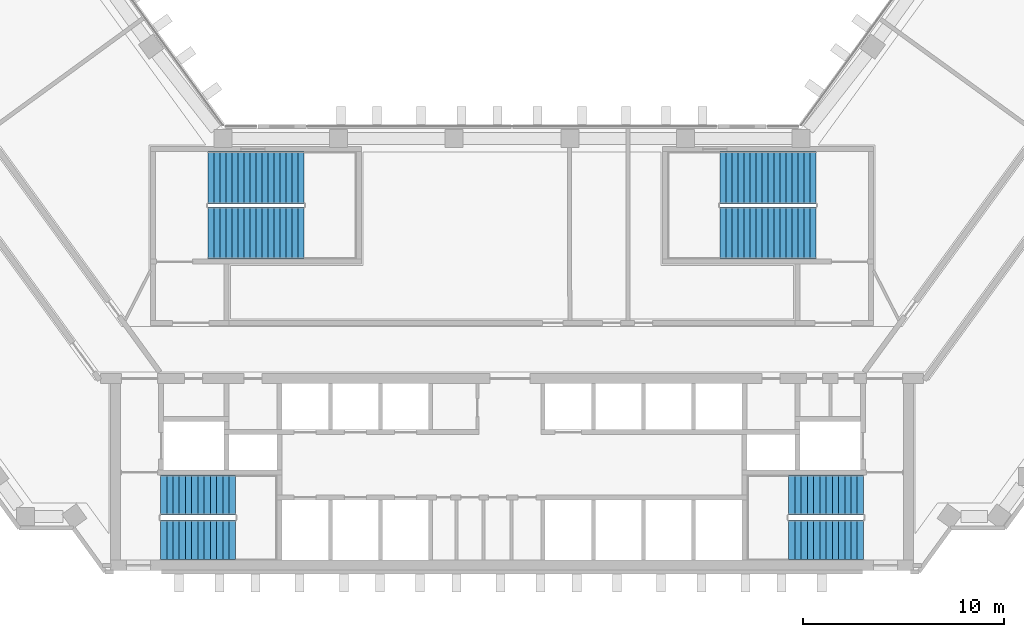
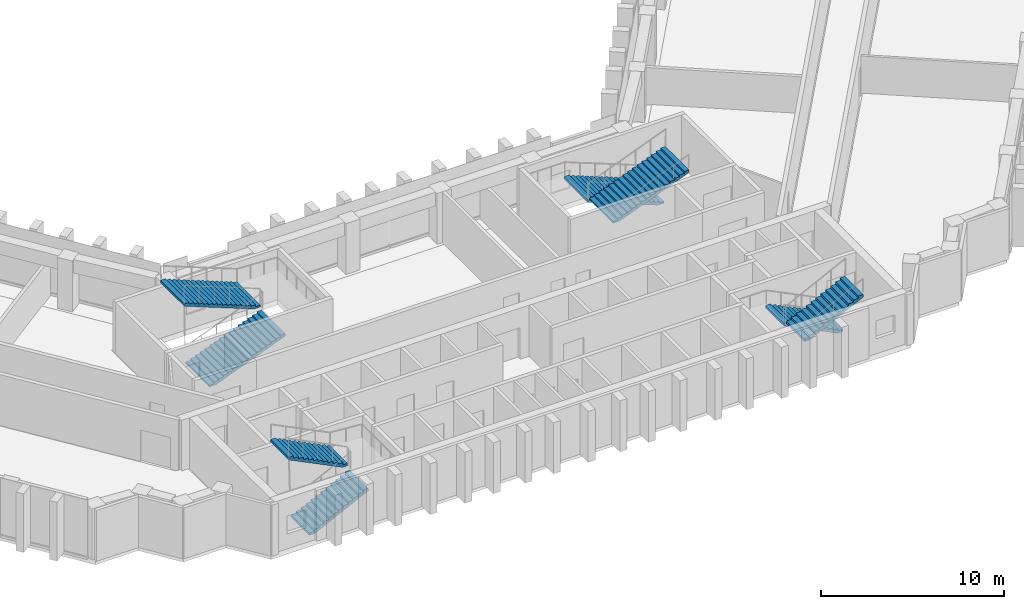
# One storey, part 9 of 11: 8 stair flights, 4 elements without a shape of their own.
"""IFC4 building model written with IfcOpenShell, lengths in metres."""

from ifc_helpers import new_model, si_unit, direction, frame, origin, place, context, subcontext, project, spatial, polyline, outline, extrude, material, type_object, element, aggregate, save


model = new_model("IFC4")

# Units and contexts
model_context = context("Model", 3, precision=1e-05, world=origin(), true_north=direction((0.0, 1.0)))
body_context = subcontext(model_context, "Body", "Model", "MODEL_VIEW")
ifc_project = project(units=[si_unit("LENGTHUNIT", "METRE"), si_unit("AREAUNIT", "SQUARE_METRE"), si_unit("VOLUMEUNIT", "CUBIC_METRE"), si_unit("PLANEANGLEUNIT", "RADIAN"), si_unit("MASSUNIT", "GRAM", prefix="KILO")], contexts=[model_context])

# Site, building, storey
site_placement = place(None, origin())
site = spatial("IfcSite", under=ifc_project, at=site_placement, CompositionType="ELEMENT")
building_placement = place(site_placement, origin())
building = spatial("IfcBuilding", under=site, at=building_placement, Name="Quipu Civic Tower", CompositionType="ELEMENT")
storey_placement = place(building_placement, frame((0.0, 0.0, 129.0)))
storey = spatial("IfcBuildingStorey", under=building, at=storey_placement, Name="L30", CompositionType="ELEMENT", Elevation=129.0)

# Stair, stair flights
ifc_material_1 = material(Name="Concrete C40/50", Category="concrete")
stair_type_1 = type_object("IfcStairType", Name="Half turn stair 2000", PredefinedType="HALF_TURN_STAIR", material=ifc_material_1)
stair_1_placement = place(storey_placement, origin())
stair_1 = element("IfcStair", 1, at=stair_1_placement, inside=storey, type_object=stair_type_1, Name="Exit stair 1", PredefinedType="HALF_TURN_STAIR")
ifc_material_2 = material(Name="Concrete C40/50", Category="concrete")
stair_flight_type_1 = type_object("IfcStairFlightType", Name="Stair flight 2000", PredefinedType="STRAIGHT", material=ifc_material_2)
stair_flight_1_placement = place(storey_placement, frame((-17.5, -9.5, 0.0), z_axis=(0.0, 0.0, 1.0), x_axis=(1.0, 0.0, 0.0)))
stair_flight_1 = element("IfcStairFlight", 2, at=stair_flight_1_placement, type_object=stair_flight_type_1, Name="ST-1 flight 1", NumberOfRisers=13, NumberOfTreads=12, PredefinedType="STRAIGHT", RiserHeight=0.153846154, TreadLength=0.31, context=body_context, shape_type="SweptSolid", body=[
    extrude(outline(polyline([(0.0, 0.0), (0.0, 0.15380859375), (0.31005859375, 0.15380859375), (0.31005859375, 0.3076171875), (0.6201171875, 0.3076171875), (0.6201171875, 0.46142578125), (0.929931640625, 0.46142578125), (0.929931640625, 0.615478515625), (1.239990234375, 0.615478515625), (1.239990234375, 0.769287109375), (1.550048828125, 0.769287109375), (1.550048828125, 0.923095703125), (1.860107421875, 0.923095703125), (1.860107421875, 1.076904296875), (2.169921875, 1.076904296875), (2.169921875, 1.230712890625), (2.47998046875, 1.230712890625), (2.47998046875, 1.384521484375), (2.7900390625, 1.384521484375), (2.7900390625, 1.53857421875), (3.10009765625, 1.53857421875), (3.10009765625, 1.6923828125), (3.409912109375, 1.6923828125), (3.409912109375, 1.84619140625), (3.719970703125, 1.84619140625), (3.719970703125, 2.0), (3.719970703125, 1.6787109375), (0.337158203125, 0.0), (0.0, 0.0)])), frame((0.0, 1.0, 0.0), z_axis=(0.0, -1.0, 0.0), x_axis=(1.0, 0.0, 0.0)), (0.0, 0.0, 1.0), 2.0),
])
stair_flight_2_placement = place(storey_placement, frame((-13.780029296875, -7.25, 2.0), z_axis=(0.0, 0.0, 1.0), x_axis=(-1.0, 0.0, 0.0)))
stair_flight_2 = element("IfcStairFlight", 3, at=stair_flight_2_placement, type_object=stair_flight_type_1, Name="ST-1 flight 2", NumberOfRisers=13, NumberOfTreads=12, PredefinedType="STRAIGHT", RiserHeight=0.153846154, TreadLength=0.31, context=body_context, shape_type="SweptSolid", body=[
    extrude(outline(polyline([(0.0, 0.0), (0.0, 0.15380859375), (0.31005859375, 0.15380859375), (0.31005859375, 0.3076171875), (0.6201171875, 0.3076171875), (0.6201171875, 0.46142578125), (0.929931640625, 0.46142578125), (0.929931640625, 0.615478515625), (1.239990234375, 0.615478515625), (1.239990234375, 0.769287109375), (1.550048828125, 0.769287109375), (1.550048828125, 0.923095703125), (1.860107421875, 0.923095703125), (1.860107421875, 1.076904296875), (2.169921875, 1.076904296875), (2.169921875, 1.230712890625), (2.47998046875, 1.230712890625), (2.47998046875, 1.384521484375), (2.7900390625, 1.384521484375), (2.7900390625, 1.53857421875), (3.10009765625, 1.53857421875), (3.10009765625, 1.6923828125), (3.409912109375, 1.6923828125), (3.409912109375, 1.84619140625), (3.719970703125, 1.84619140625), (3.719970703125, 2.0), (3.719970703125, 1.6787109375), (0.337158203125, 0.0), (0.0, 0.0)])), frame((0.0, 1.0, 0.0), z_axis=(0.0, -1.0, 0.0), x_axis=(1.0, 0.0, 0.0)), (0.0, 0.0, 1.0), 2.0),
])
aggregate(stair_1, [stair_flight_1, stair_flight_2])

stair_2_placement = place(storey_placement, origin())
stair_2 = element("IfcStair", 4, at=stair_2_placement, inside=storey, type_object=stair_type_1, Name="Exit stair 2", PredefinedType="HALF_TURN_STAIR")
stair_flight_3_placement = place(storey_placement, frame((17.5, -7.25, 0.0), z_axis=(0.0, 0.0, 1.0), x_axis=(-1.0, 0.0, 0.0)))
stair_flight_3 = element("IfcStairFlight", 5, at=stair_flight_3_placement, type_object=stair_flight_type_1, Name="ST-2 flight 1", NumberOfRisers=13, NumberOfTreads=12, PredefinedType="STRAIGHT", RiserHeight=0.153846154, TreadLength=0.31, context=body_context, shape_type="SweptSolid", body=[
    extrude(outline(polyline([(0.0, 0.0), (0.0, 0.15380859375), (0.31005859375, 0.15380859375), (0.31005859375, 0.3076171875), (0.6201171875, 0.3076171875), (0.6201171875, 0.46142578125), (0.929931640625, 0.46142578125), (0.929931640625, 0.615478515625), (1.239990234375, 0.615478515625), (1.239990234375, 0.769287109375), (1.550048828125, 0.769287109375), (1.550048828125, 0.923095703125), (1.860107421875, 0.923095703125), (1.860107421875, 1.076904296875), (2.169921875, 1.076904296875), (2.169921875, 1.230712890625), (2.47998046875, 1.230712890625), (2.47998046875, 1.384521484375), (2.7900390625, 1.384521484375), (2.7900390625, 1.53857421875), (3.10009765625, 1.53857421875), (3.10009765625, 1.6923828125), (3.409912109375, 1.6923828125), (3.409912109375, 1.84619140625), (3.719970703125, 1.84619140625), (3.719970703125, 2.0), (3.719970703125, 1.6787109375), (0.337158203125, 0.0), (0.0, 0.0)])), frame((0.0, 1.0, 0.0), z_axis=(0.0, -1.0, 0.0), x_axis=(1.0, 0.0, 0.0)), (0.0, 0.0, 1.0), 2.0),
])
stair_flight_4_placement = place(storey_placement, frame((13.780029296875, -9.5, 2.0), z_axis=(0.0, 0.0, 1.0), x_axis=(1.0, 0.0, 0.0)))
stair_flight_4 = element("IfcStairFlight", 6, at=stair_flight_4_placement, type_object=stair_flight_type_1, Name="ST-2 flight 2", NumberOfRisers=13, NumberOfTreads=12, PredefinedType="STRAIGHT", RiserHeight=0.153846154, TreadLength=0.31, context=body_context, shape_type="SweptSolid", body=[
    extrude(outline(polyline([(0.0, 0.0), (0.0, 0.15380859375), (0.31005859375, 0.15380859375), (0.31005859375, 0.3076171875), (0.6201171875, 0.3076171875), (0.6201171875, 0.46142578125), (0.929931640625, 0.46142578125), (0.929931640625, 0.615478515625), (1.239990234375, 0.615478515625), (1.239990234375, 0.769287109375), (1.550048828125, 0.769287109375), (1.550048828125, 0.923095703125), (1.860107421875, 0.923095703125), (1.860107421875, 1.076904296875), (2.169921875, 1.076904296875), (2.169921875, 1.230712890625), (2.47998046875, 1.230712890625), (2.47998046875, 1.384521484375), (2.7900390625, 1.384521484375), (2.7900390625, 1.53857421875), (3.10009765625, 1.53857421875), (3.10009765625, 1.6923828125), (3.409912109375, 1.6923828125), (3.409912109375, 1.84619140625), (3.719970703125, 1.84619140625), (3.719970703125, 2.0), (3.719970703125, 1.6787109375), (0.337158203125, 0.0), (0.0, 0.0)])), frame((0.0, 1.0, 0.0), z_axis=(0.0, -1.0, 0.0), x_axis=(1.0, 0.0, 0.0)), (0.0, 0.0, 1.0), 2.0),
])
aggregate(stair_2, [stair_flight_3, stair_flight_4])

ifc_material_3 = material(Name="Concrete C40/50", Category="concrete")
stair_type_2 = type_object("IfcStairType", Name="Half turn stair 2600", PredefinedType="HALF_TURN_STAIR", material=ifc_material_3)
stair_3_placement = place(storey_placement, origin())
stair_3 = element("IfcStair", 7, at=stair_3_placement, inside=storey, type_object=stair_type_2, Name="Exit stair 3", PredefinedType="HALF_TURN_STAIR")
ifc_material_4 = material(Name="Concrete C40/50", Category="concrete")
stair_flight_type_2 = type_object("IfcStairFlightType", Name="Stair flight 2600", PredefinedType="STRAIGHT", material=ifc_material_4)
stair_flight_5_placement = place(storey_placement, frame((-15.14990234375, 5.800048828125, 0.0), z_axis=(0.0, 0.0, 1.0), x_axis=(1.0, 0.0, 0.0)))
stair_flight_5 = element("IfcStairFlight", 8, at=stair_flight_5_placement, type_object=stair_flight_type_2, Name="ST-3 flight 1", NumberOfRisers=17, NumberOfTreads=16, PredefinedType="STRAIGHT", RiserHeight=0.117647059, TreadLength=0.3, context=body_context, shape_type="SweptSolid", body=[
    extrude(outline(polyline([(0.0, 0.0), (0.0, 0.11767578125), (0.300048828125, 0.11767578125), (0.300048828125, 0.2353515625), (0.60009765625, 0.2353515625), (0.60009765625, 0.35302734375), (0.89990234375, 0.35302734375), (0.89990234375, 0.470703125), (1.199951171875, 0.470703125), (1.199951171875, 0.588134765625), (1.5, 0.588134765625), (1.5, 0.705810546875), (1.800048828125, 0.705810546875), (1.800048828125, 0.823486328125), (2.10009765625, 0.823486328125), (2.10009765625, 0.941162109375), (2.39990234375, 0.941162109375), (2.39990234375, 1.058837890625), (2.699951171875, 1.058837890625), (2.699951171875, 1.176513671875), (3.0, 1.176513671875), (3.0, 1.294189453125), (3.300048828125, 1.294189453125), (3.300048828125, 1.411865234375), (3.60009765625, 1.411865234375), (3.60009765625, 1.529296875), (3.89990234375, 1.529296875), (3.89990234375, 1.64697265625), (4.199951171875, 1.64697265625), (4.199951171875, 1.7646484375), (4.5, 1.7646484375), (4.5, 1.88232421875), (4.800048828125, 1.88232421875), (4.800048828125, 2.0), (4.800048828125, 1.721435546875), (0.41064453125, 0.0), (0.0, 0.0)])), frame((0.0, 1.300048828125, 0.0), z_axis=(0.0, -1.0, 0.0), x_axis=(1.0, 0.0, 0.0)), (0.0, 0.0, 1.0), 2.60009765625),
])
stair_flight_6_placement = place(storey_placement, frame((-10.35009765625, 8.550048828125, 2.0), z_axis=(0.0, 0.0, 1.0), x_axis=(-1.0, 0.0, 0.0)))
stair_flight_6 = element("IfcStairFlight", 9, at=stair_flight_6_placement, type_object=stair_flight_type_2, Name="ST-3 flight 2", NumberOfRisers=17, NumberOfTreads=16, PredefinedType="STRAIGHT", RiserHeight=0.117647059, TreadLength=0.3, context=body_context, shape_type="SweptSolid", body=[
    extrude(outline(polyline([(0.0, 0.0), (0.0, 0.11767578125), (0.300048828125, 0.11767578125), (0.300048828125, 0.2353515625), (0.60009765625, 0.2353515625), (0.60009765625, 0.35302734375), (0.89990234375, 0.35302734375), (0.89990234375, 0.470703125), (1.199951171875, 0.470703125), (1.199951171875, 0.588134765625), (1.5, 0.588134765625), (1.5, 0.705810546875), (1.800048828125, 0.705810546875), (1.800048828125, 0.823486328125), (2.10009765625, 0.823486328125), (2.10009765625, 0.941162109375), (2.39990234375, 0.941162109375), (2.39990234375, 1.058837890625), (2.699951171875, 1.058837890625), (2.699951171875, 1.176513671875), (3.0, 1.176513671875), (3.0, 1.294189453125), (3.300048828125, 1.294189453125), (3.300048828125, 1.411865234375), (3.60009765625, 1.411865234375), (3.60009765625, 1.529296875), (3.89990234375, 1.529296875), (3.89990234375, 1.64697265625), (4.199951171875, 1.64697265625), (4.199951171875, 1.7646484375), (4.5, 1.7646484375), (4.5, 1.88232421875), (4.800048828125, 1.88232421875), (4.800048828125, 2.0), (4.800048828125, 1.721435546875), (0.41064453125, 0.0), (0.0, 0.0)])), frame((0.0, 1.300048828125, 0.0), z_axis=(0.0, -1.0, 0.0), x_axis=(1.0, 0.0, 0.0)), (0.0, 0.0, 1.0), 2.60009765625),
])
aggregate(stair_3, [stair_flight_5, stair_flight_6])

stair_4_placement = place(storey_placement, origin())
stair_4 = element("IfcStair", 10, at=stair_4_placement, inside=storey, type_object=stair_type_2, Name="Exit stair 4", PredefinedType="HALF_TURN_STAIR")
stair_flight_7_placement = place(storey_placement, frame((15.14990234375, 8.550048828125, 0.0), z_axis=(0.0, 0.0, 1.0), x_axis=(-1.0, 0.0, 0.0)))
stair_flight_7 = element("IfcStairFlight", 11, at=stair_flight_7_placement, type_object=stair_flight_type_2, Name="ST-4 flight 1", NumberOfRisers=17, NumberOfTreads=16, PredefinedType="STRAIGHT", RiserHeight=0.117647059, TreadLength=0.3, context=body_context, shape_type="SweptSolid", body=[
    extrude(outline(polyline([(0.0, 0.0), (0.0, 0.11767578125), (0.300048828125, 0.11767578125), (0.300048828125, 0.2353515625), (0.60009765625, 0.2353515625), (0.60009765625, 0.35302734375), (0.89990234375, 0.35302734375), (0.89990234375, 0.470703125), (1.199951171875, 0.470703125), (1.199951171875, 0.588134765625), (1.5, 0.588134765625), (1.5, 0.705810546875), (1.800048828125, 0.705810546875), (1.800048828125, 0.823486328125), (2.10009765625, 0.823486328125), (2.10009765625, 0.941162109375), (2.39990234375, 0.941162109375), (2.39990234375, 1.058837890625), (2.699951171875, 1.058837890625), (2.699951171875, 1.176513671875), (3.0, 1.176513671875), (3.0, 1.294189453125), (3.300048828125, 1.294189453125), (3.300048828125, 1.411865234375), (3.60009765625, 1.411865234375), (3.60009765625, 1.529296875), (3.89990234375, 1.529296875), (3.89990234375, 1.64697265625), (4.199951171875, 1.64697265625), (4.199951171875, 1.7646484375), (4.5, 1.7646484375), (4.5, 1.88232421875), (4.800048828125, 1.88232421875), (4.800048828125, 2.0), (4.800048828125, 1.721435546875), (0.41064453125, 0.0), (0.0, 0.0)])), frame((0.0, 1.300048828125, 0.0), z_axis=(0.0, -1.0, 0.0), x_axis=(1.0, 0.0, 0.0)), (0.0, 0.0, 1.0), 2.60009765625),
])
stair_flight_8_placement = place(storey_placement, frame((10.35009765625, 5.800048828125, 2.0), z_axis=(0.0, 0.0, 1.0), x_axis=(1.0, 0.0, 0.0)))
stair_flight_8 = element("IfcStairFlight", 12, at=stair_flight_8_placement, type_object=stair_flight_type_2, Name="ST-4 flight 2", NumberOfRisers=17, NumberOfTreads=16, PredefinedType="STRAIGHT", RiserHeight=0.117647059, TreadLength=0.3, context=body_context, shape_type="SweptSolid", body=[
    extrude(outline(polyline([(0.0, 0.0), (0.0, 0.11767578125), (0.300048828125, 0.11767578125), (0.300048828125, 0.2353515625), (0.60009765625, 0.2353515625), (0.60009765625, 0.35302734375), (0.89990234375, 0.35302734375), (0.89990234375, 0.470703125), (1.199951171875, 0.470703125), (1.199951171875, 0.588134765625), (1.5, 0.588134765625), (1.5, 0.705810546875), (1.800048828125, 0.705810546875), (1.800048828125, 0.823486328125), (2.10009765625, 0.823486328125), (2.10009765625, 0.941162109375), (2.39990234375, 0.941162109375), (2.39990234375, 1.058837890625), (2.699951171875, 1.058837890625), (2.699951171875, 1.176513671875), (3.0, 1.176513671875), (3.0, 1.294189453125), (3.300048828125, 1.294189453125), (3.300048828125, 1.411865234375), (3.60009765625, 1.411865234375), (3.60009765625, 1.529296875), (3.89990234375, 1.529296875), (3.89990234375, 1.64697265625), (4.199951171875, 1.64697265625), (4.199951171875, 1.7646484375), (4.5, 1.7646484375), (4.5, 1.88232421875), (4.800048828125, 1.88232421875), (4.800048828125, 2.0), (4.800048828125, 1.721435546875), (0.41064453125, 0.0), (0.0, 0.0)])), frame((0.0, 1.300048828125, 0.0), z_axis=(0.0, -1.0, 0.0), x_axis=(1.0, 0.0, 0.0)), (0.0, 0.0, 1.0), 2.60009765625),
])
aggregate(stair_4, [stair_flight_7, stair_flight_8])

save(model, "model.ifc")
